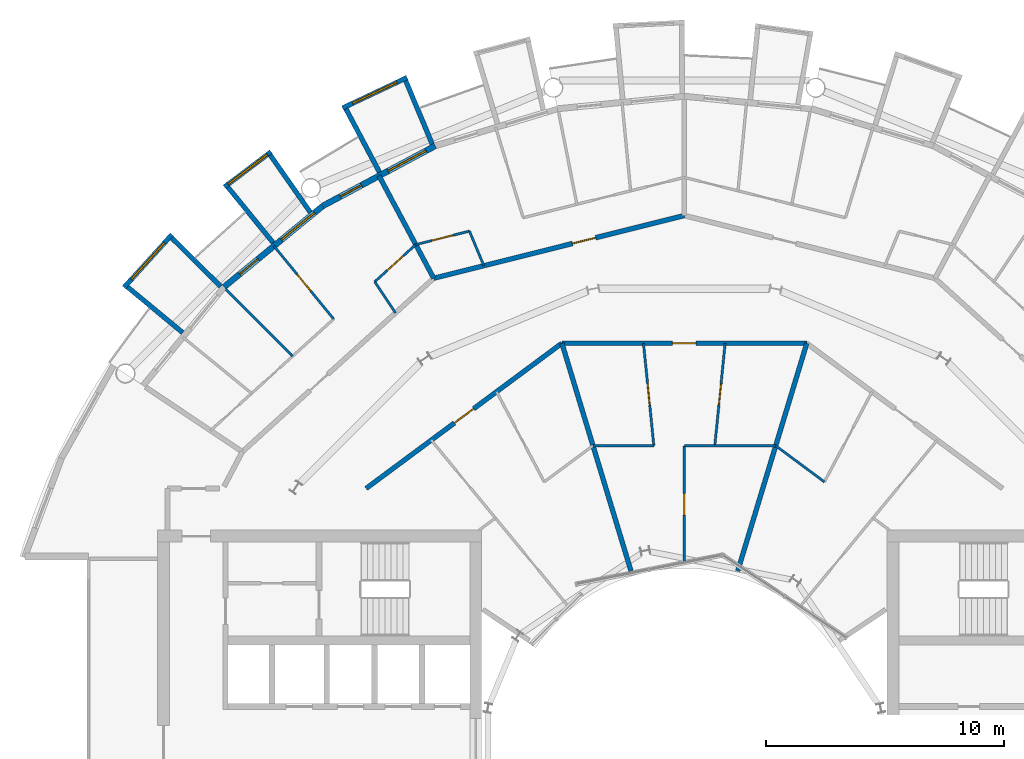
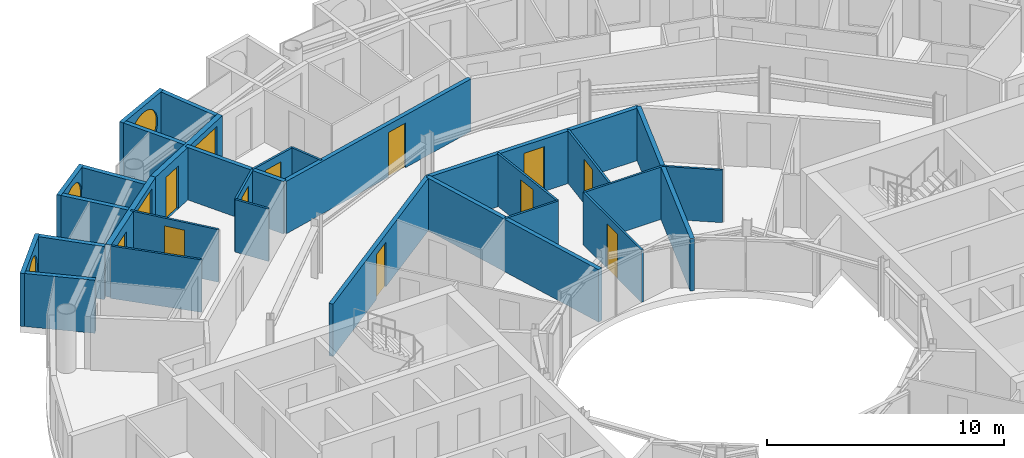
# One storey, part 20 of 27: 29 walls, 11 doors, 5 windows, 16 openings.
"""IFC4 building model written with IfcOpenShell, lengths in metres."""

from ifc_helpers import new_model, si_unit, direction, frame, frame_2d, origin, place, context, subcontext, project, spatial, rectangle, circle, extrude, material, layer, layer_set, type_object, element, fill, save


model = new_model("IFC4")

# Units and contexts
model_context = context("Model", 3, precision=1e-05, world=origin(), true_north=direction((0.0, 1.0)))
body_context = subcontext(model_context, "Body", "Model", "MODEL_VIEW")
ifc_project = project(units=[si_unit("LENGTHUNIT", "METRE"), si_unit("AREAUNIT", "SQUARE_METRE"), si_unit("VOLUMEUNIT", "CUBIC_METRE"), si_unit("PLANEANGLEUNIT", "RADIAN"), si_unit("MASSUNIT", "GRAM", prefix="KILO")], contexts=[model_context])

# Site, building, storey
site_placement = place(None, origin())
site = spatial("IfcSite", under=ifc_project, at=site_placement, CompositionType="ELEMENT")
building_placement = place(site_placement, origin())
building = spatial("IfcBuilding", under=site, at=building_placement, Name="Maasbend Ring Residences", CompositionType="ELEMENT")
storey_placement = place(building_placement, frame((0.0, 0.0, 151.300048828125)))
storey = spatial("IfcBuildingStorey", under=building, at=storey_placement, Name="L43", CompositionType="ELEMENT", Elevation=151.300048828125)

# Wall, opening, door
ifc_material_1 = material(Name="Concrete C30/37", Category="concrete")
ifc_layer_1 = layer(ifc_material_1, 0.199951171875)
ifc_layer_set_1 = layer_set([ifc_layer_1], Name="Concrete C30/37")
wall_type_1 = type_object("IfcWallType", Name="CORRIDOR WALL 200 CONCRETE", PredefinedType="PARTITIONING", material=ifc_layer_set_1)
wall_1_placement = place(storey_placement, frame((-13.34912109375, 10.847900390625, 0.0), z_axis=(0.0, 0.0, 1.0), x_axis=(0.803229232922, 0.595670042371, 0.0)))
wall_1 = element("IfcWall", 1, at=wall_1_placement, inside=storey, type_object=wall_type_1, Name="U-L43-w099", PredefinedType="PARTITIONING", context=body_context, shape_type="SweptSolid", body=[
    extrude(rectangle(XDim=10.223876953125, YDim=0.199951171875, at=frame_2d((5.11181640625, 0.0))), origin(), (0.0, 0.0, 1.0), 2.699951171875),
])
opening_1_placement = place(wall_1_placement, frame((4.612060546875, 0.0, 0.0)))
opening_1 = element("IfcOpeningElement", 2, at=opening_1_placement, cuts=wall_1, Name="Opening D-4329", PredefinedType="OPENING", context=body_context, shape_type="SweptSolid", body=[
    extrude(rectangle(XDim=1.0, YDim=2.300048828125, at=frame_2d((0.5, 1.14990234375))), frame((0.0, 0.10986328125, 0.0), z_axis=(0.0, -1.0, 0.0), x_axis=(1.0, 0.0, 0.0)), (0.0, 0.0, 1.0), 0.219970703125),
])
ifc_material_2 = material(Name="Timber, fire-rated, painted", Category="wood")
door_type_1 = type_object("IfcDoorType", Name="FLAT ENTRANCE DOOR 1000 X 2300 FIRE-RATED", OperationType="NOTDEFINED", PredefinedType="DOOR", material=ifc_material_2)
door_1_placement = place(opening_1_placement, origin())
door_1 = element("IfcDoor", 3, at=door_1_placement, inside=storey, type_object=door_type_1, Name="D-4329", OperationType="SINGLE_SWING_LEFT", OverallHeight=2.300048828125, OverallWidth=1.0, PredefinedType="DOOR", context=body_context, shape_type="SweptSolid", body=[
    extrude(rectangle(XDim=1.0, YDim=2.300048828125, at=frame_2d((0.5, 1.14990234375))), frame((0.0, 0.02490234375, 0.0), z_axis=(0.0, -1.0, 0.0), x_axis=(1.0, 0.0, 0.0)), (0.0, 0.0, 1.0), 0.050048828125),
])
fill(opening_1, door_1)

wall_2_placement = place(storey_placement, frame((-5.137939453125, 16.93798828125, 0.0), z_axis=(0.0, 0.0, 1.0), x_axis=(1.0, 0.0, 0.0)))
wall_2 = element("IfcWall", 4, at=wall_2_placement, inside=storey, type_object=wall_type_1, Name="U-L43-w101", PredefinedType="PARTITIONING", context=body_context, shape_type="SweptSolid", body=[
    extrude(rectangle(XDim=10.27587890625, YDim=0.199951171875, at=frame_2d((5.137939453125, 0.0))), origin(), (0.0, 0.0, 1.0), 2.699951171875),
])
opening_2_placement = place(wall_2_placement, frame((4.637939453125, 0.0, 0.0)))
opening_2 = element("IfcOpeningElement", 5, at=opening_2_placement, cuts=wall_2, Name="Opening D-4325", PredefinedType="OPENING", context=body_context, shape_type="SweptSolid", body=[
    extrude(rectangle(XDim=1.0, YDim=2.300048828125, at=frame_2d((0.5, 1.14990234375))), frame((0.0, 0.10986328125, 0.0), z_axis=(0.0, -1.0, 0.0), x_axis=(1.0, 0.0, 0.0)), (0.0, 0.0, 1.0), 0.219970703125),
])
door_2_placement = place(opening_2_placement, origin())
door_2 = element("IfcDoor", 6, at=door_2_placement, inside=storey, type_object=door_type_1, Name="D-4325", OperationType="SINGLE_SWING_LEFT", OverallHeight=2.300048828125, OverallWidth=1.0, PredefinedType="DOOR", context=body_context, shape_type="SweptSolid", body=[
    extrude(rectangle(XDim=1.0, YDim=2.300048828125, at=frame_2d((0.5, 1.14990234375))), frame((0.0, 0.02490234375, 0.0), z_axis=(0.0, -1.0, 0.0), x_axis=(1.0, 0.0, 0.0)), (0.0, 0.0, 1.0), 0.050048828125),
])
fill(opening_2, door_2)

wall_3_placement = place(storey_placement, frame((-10.511962890625, 19.6669921875, 0.0), z_axis=(0.0, 0.0, 1.0), x_axis=(0.970086843848, 0.242758141765, 0.0)))
wall_3 = element("IfcWall", 7, at=wall_3_placement, inside=storey, type_object=wall_type_1, Name="U-L43-w103", PredefinedType="PARTITIONING", context=body_context, shape_type="SweptSolid", body=[
    extrude(rectangle(XDim=10.84228515625, YDim=0.199951171875, at=frame_2d((5.421142578125, 0.0))), origin(), (0.0, 0.0, 1.0), 2.699951171875),
])
opening_3_placement = place(wall_3_placement, frame((6.001953125, 0.0, 0.0)))
opening_3 = element("IfcOpeningElement", 8, at=opening_3_placement, cuts=wall_3, Name="Opening D-4311", PredefinedType="OPENING", context=body_context, shape_type="SweptSolid", body=[
    extrude(rectangle(XDim=1.0, YDim=2.300048828125, at=frame_2d((0.5, 1.14990234375))), frame((0.0, 0.10986328125, 0.0), z_axis=(0.0, -1.0, 0.0), x_axis=(1.0, 0.0, 0.0)), (0.0, 0.0, 1.0), 0.219970703125),
])
door_3_placement = place(opening_3_placement, origin())
door_3 = element("IfcDoor", 9, at=door_3_placement, inside=storey, type_object=door_type_1, Name="D-4311", OperationType="SINGLE_SWING_RIGHT", OverallHeight=2.300048828125, OverallWidth=1.0, PredefinedType="DOOR", context=body_context, shape_type="SweptSolid", body=[
    extrude(rectangle(XDim=1.0, YDim=2.300048828125, at=frame_2d((0.5, 1.14990234375))), frame((0.0, 0.02490234375, 0.0), z_axis=(0.0, -1.0, 0.0), x_axis=(1.0, 0.0, 0.0)), (0.0, 0.0, 1.0), 0.050048828125),
])
fill(opening_3, door_3)

# Wall, opening, window
ifc_material_3 = material(Name="Pale anodised aluminium panel", Category="aluminium")
ifc_layer_2 = layer(ifc_material_3, 0.199951171875)
ifc_layer_set_2 = layer_set([ifc_layer_2], Name="EW-BOX")
wall_type_2 = type_object("IfcWallType", Name="EW-BOX", PredefinedType="SOLIDWALL", material=ifc_layer_set_2)
wall_4_placement = place(storey_placement, frame((-11.62890625, 28.087890625, -0.030029296875), z_axis=(0.0, 0.0, 1.0), x_axis=(-0.904000060331, -0.427532327342, 0.0)))
wall_4 = element("IfcWall", 10, at=wall_4_placement, inside=storey, type_object=wall_type_2, Name="Box front N15", PredefinedType="SOLIDWALL", context=body_context, shape_type="SweptSolid", body=[
    extrude(rectangle(XDim=2.993408203125, YDim=0.199951171875, at=frame_2d((1.49658203125, 0.0))), origin(), (0.0, 0.0, 1.0), 2.72998046875),
])
opening_4_placement = place(wall_4_placement, frame((0.45654296875, 0.0, 0.330078125)))
opening_4 = element("IfcOpeningElement", 11, at=opening_4_placement, cuts=wall_4, Name="Opening W-RD", PredefinedType="OPENING", context=body_context, shape_type="SweptSolid", body=[
    extrude(circle(Radius=1.0400390625, at=frame_2d((1.0400390625, 1.0400390625))), frame((0.0, 0.10986328125, 0.0), z_axis=(0.0, -1.0, 0.0), x_axis=(1.0, 0.0, 0.0)), (0.0, 0.0, 1.0), 0.219970703125),
])
ifc_material_4 = material(Name="Aluminium and clear glass", Category="aluminium")
window_type_1 = type_object("IfcWindowType", Name="W-RD", PartitioningType="SINGLE_PANEL", PredefinedType="WINDOW", material=ifc_material_4)
window_1_placement = place(opening_4_placement, origin())
window_1 = element("IfcWindow", 12, at=window_1_placement, inside=storey, type_object=window_type_1, Name="Round window N15", OverallHeight=2.080078125, OverallWidth=2.080078125, PartitioningType="SINGLE_PANEL", PredefinedType="WINDOW", context=body_context, shape_type="SweptSolid", body=[
    extrude(circle(Radius=1.0400390625, at=frame_2d((1.0400390625, 1.0400390625))), frame((0.0, 0.030029296875, 0.0), z_axis=(0.0, -1.0, 0.0), x_axis=(1.0, 0.0, 0.0)), (0.0, 0.0, 1.0), 0.06005859375),
])
fill(opening_4, window_1)

# Walls
wall_5_placement = place(storey_placement, frame((-10.574951171875, 25.294921875, -0.030029296875), z_axis=(0.0, 0.0, 1.0), x_axis=(-0.385697364644, 0.922625353492, 0.0)))
element("IfcWall", 13, at=wall_5_placement, inside=storey, type_object=wall_type_2, Name="Box side wall N15 left", PredefinedType="SOLIDWALL", context=body_context, shape_type="SweptSolid", body=[
    extrude(rectangle(XDim=2.88330078125, YDim=0.199951171875, at=frame_2d((1.441650390625, 0.0))), origin(), (0.0, 0.0, 1.0), 2.72998046875),
])
wall_6_placement = place(storey_placement, frame((-12.787109375, 24.113037109375, -0.030029296875), z_axis=(0.0, 0.0, 1.0), x_axis=(-0.468365282436, 0.883534924159, 0.0)))
element("IfcWall", 14, at=wall_6_placement, inside=storey, type_object=wall_type_2, Name="Box side wall N15 right", PredefinedType="SOLIDWALL", context=body_context, shape_type="SweptSolid", body=[
    extrude(rectangle(XDim=3.006103515625, YDim=0.199951171875, at=frame_2d((1.5029296875, 0.0))), origin(), (0.0, 0.0, 1.0), 2.72998046875),
])

# Wall, opening, window
wall_7_placement = place(storey_placement, frame((-17.3369140625, 24.971923828125, -0.030029296875), z_axis=(0.0, 0.0, 1.0), x_axis=(-0.797887588059, -0.602806268067, 0.0)))
wall_7 = element("IfcWall", 15, at=wall_7_placement, inside=storey, type_object=wall_type_2, Name="Box front N17", PredefinedType="SOLIDWALL", context=body_context, shape_type="SweptSolid", body=[
    extrude(rectangle(XDim=2.446533203125, YDim=0.199951171875, at=frame_2d((1.22314453125, 0.0))), origin(), (0.0, 0.0, 1.0), 2.72998046875),
])
opening_5_placement = place(wall_7_placement, frame((0.182861328125, 0.0, 0.330078125)))
opening_5 = element("IfcOpeningElement", 16, at=opening_5_placement, cuts=wall_7, Name="Opening W-RD", PredefinedType="OPENING", context=body_context, shape_type="SweptSolid", body=[
    extrude(circle(Radius=1.0400390625, at=frame_2d((1.0400390625, 1.0400390625))), frame((0.0, 0.10986328125, 0.0), z_axis=(0.0, -1.0, 0.0), x_axis=(1.0, 0.0, 0.0)), (0.0, 0.0, 1.0), 0.219970703125),
])
window_2_placement = place(opening_5_placement, origin())
window_2 = element("IfcWindow", 17, at=window_2_placement, inside=storey, type_object=window_type_1, Name="Round window N17", OverallHeight=2.080078125, OverallWidth=2.080078125, PartitioningType="SINGLE_PANEL", PredefinedType="WINDOW", context=body_context, shape_type="SweptSolid", body=[
    extrude(circle(Radius=1.0400390625, at=frame_2d((1.0400390625, 1.0400390625))), frame((0.0, 0.030029296875, 0.0), z_axis=(0.0, -1.0, 0.0), x_axis=(1.0, 0.0, 0.0)), (0.0, 0.0, 1.0), 0.06005859375),
])
fill(opening_5, window_2)

# Walls
wall_8_placement = place(storey_placement, frame((-15.68798828125, 22.43310546875, -0.030029296875), z_axis=(0.0, 0.0, 1.0), x_axis=(-0.573260687834, 0.819373043115, 0.0)))
element("IfcWall", 18, at=wall_8_placement, inside=storey, type_object=wall_type_2, Name="Box side wall N17 left", PredefinedType="SOLIDWALL", context=body_context, shape_type="SweptSolid", body=[
    extrude(rectangle(XDim=2.92529296875, YDim=0.199951171875, at=frame_2d((1.462646484375, 0.0))), origin(), (0.0, 0.0, 1.0), 2.72998046875),
])
wall_9_placement = place(storey_placement, frame((-17.24609375, 21.155029296875, -0.030029296875), z_axis=(0.0, 0.0, 1.0), x_axis=(-0.631741648902, 0.775179004516, 0.0)))
element("IfcWall", 19, at=wall_9_placement, inside=storey, type_object=wall_type_2, Name="Box side wall N17 right", PredefinedType="SOLIDWALL", context=body_context, shape_type="SweptSolid", body=[
    extrude(rectangle(XDim=3.005859375, YDim=0.199951171875, at=frame_2d((1.5029296875, 0.0))), origin(), (0.0, 0.0, 1.0), 2.72998046875),
])

# Wall, opening, window
wall_10_placement = place(storey_placement, frame((-21.492919921875, 21.5, -0.030029296875), z_axis=(0.0, 0.0, 1.0), x_axis=(-0.671506829416, -0.740998365753, 0.0)))
wall_10 = element("IfcWall", 20, at=wall_10_placement, inside=storey, type_object=wall_type_2, Name="Box front N19", PredefinedType="SOLIDWALL", context=body_context, shape_type="SweptSolid", body=[
    extrude(rectangle(XDim=2.9931640625, YDim=0.199951171875, at=frame_2d((1.49658203125, 0.0))), origin(), (0.0, 0.0, 1.0), 2.72998046875),
])
opening_6_placement = place(wall_10_placement, frame((0.45654296875, 0.0, 0.330078125)))
opening_6 = element("IfcOpeningElement", 21, at=opening_6_placement, cuts=wall_10, Name="Opening W-RD", PredefinedType="OPENING", context=body_context, shape_type="SweptSolid", body=[
    extrude(circle(Radius=1.0400390625, at=frame_2d((1.0400390625, 1.0400390625))), frame((0.0, 0.10986328125, 0.0), z_axis=(0.0, -1.0, 0.0), x_axis=(1.0, 0.0, 0.0)), (0.0, 0.0, 1.0), 0.219970703125),
])
window_3_placement = place(opening_6_placement, origin())
window_3 = element("IfcWindow", 22, at=window_3_placement, inside=storey, type_object=window_type_1, Name="Round window N19", OverallHeight=2.080078125, OverallWidth=2.080078125, PartitioningType="SINGLE_PANEL", PredefinedType="WINDOW", context=body_context, shape_type="SweptSolid", body=[
    extrude(circle(Radius=1.0400390625, at=frame_2d((1.0400390625, 1.0400390625))), frame((0.0, 0.030029296875, 0.0), z_axis=(0.0, -1.0, 0.0), x_axis=(1.0, 0.0, 0.0)), (0.0, 0.0, 1.0), 0.06005859375),
])
fill(opening_6, window_3)

# Walls
wall_11_placement = place(storey_placement, frame((-19.449951171875, 19.322998046875, -0.030029296875), z_axis=(0.0, 0.0, 1.0), x_axis=(-0.709727076896, 0.704476739375, 0.0)))
element("IfcWall", 23, at=wall_11_placement, inside=storey, type_object=wall_type_2, Name="Box side wall N19 left", PredefinedType="SOLIDWALL", context=body_context, shape_type="SweptSolid", body=[
    extrude(rectangle(XDim=2.883056640625, YDim=0.199951171875, at=frame_2d((1.44140625, 0.0))), origin(), (0.0, 0.0, 1.0), 2.72998046875),
])
wall_12_placement = place(storey_placement, frame((-21.041015625, 17.384033203125, -0.030029296875), z_axis=(0.0, 0.0, 1.0), x_axis=(-0.770784861449, 0.63709551667, 0.0)))
element("IfcWall", 24, at=wall_12_placement, inside=storey, type_object=wall_type_2, Name="Box side wall N19 right", PredefinedType="SOLIDWALL", context=body_context, shape_type="SweptSolid", body=[
    extrude(rectangle(XDim=3.005859375, YDim=0.199951171875, at=frame_2d((1.5029296875, 0.0))), origin(), (0.0, 0.0, 1.0), 2.72998046875),
])

# Wall, openings, door, window
ifc_material_5 = material(Name="Aluminium clad insulated panel", Category="aluminium")
ifc_layer_3 = layer(ifc_material_5, 0.25)
ifc_layer_set_3 = layer_set([ifc_layer_3], Name="EW-GL")
wall_type_3 = type_object("IfcWallType", Name="EW-GL", PredefinedType="SOLIDWALL", material=ifc_layer_set_3)
wall_13_placement = place(storey_placement, frame((-10.447021484375, 25.221923828125, 0.0), z_axis=(0.0, 0.0, 1.0), x_axis=(-0.881915646801, -0.471407246368, 0.0)))
wall_13 = element("IfcWall", 25, at=wall_13_placement, inside=storey, type_object=wall_type_3, Name="External wall N08", PredefinedType="SOLIDWALL", context=body_context, shape_type="SweptSolid", body=[
    extrude(rectangle(XDim=5.35205078125, YDim=0.25, at=frame_2d((2.676025390625, 0.0))), origin(), (0.0, 0.0, 1.0), 2.699951171875),
])
opening_7_placement = place(wall_13_placement, frame((0.441162109375, 0.0, 0.300048828125)))
opening_7 = element("IfcOpeningElement", 26, at=opening_7_placement, cuts=wall_13, Name="Opening W-BX", PredefinedType="OPENING", context=body_context, shape_type="SweptSolid", body=[
    extrude(rectangle(XDim=1.800048828125, YDim=2.10009765625, at=frame_2d((0.89990234375, 1.050048828125))), frame((0.0, 0.135009765625, 0.0), z_axis=(0.0, -1.0, 0.0), x_axis=(1.0, 0.0, 0.0)), (0.0, 0.0, 1.0), 0.27001953125),
])
opening_8_placement = place(wall_13_placement, frame((3.510498046875, 0.0, 0.0)))
opening_8 = element("IfcOpeningElement", 27, at=opening_8_placement, cuts=wall_13, Name="Opening D-LG", PredefinedType="OPENING", context=body_context, shape_type="SweptSolid", body=[
    extrude(rectangle(XDim=1.0, YDim=2.199951171875, at=frame_2d((0.5, 1.10009765625))), frame((0.0, 0.135009765625, 0.0), z_axis=(0.0, -1.0, 0.0), x_axis=(1.0, 0.0, 0.0)), (0.0, 0.0, 1.0), 0.27001953125),
])
ifc_material_6 = material(Name="Aluminium and clear glass", Category="aluminium")
door_type_2 = type_object("IfcDoorType", Name="D-LG", OperationType="SINGLE_SWING_LEFT", PredefinedType="DOOR", material=ifc_material_6)
door_4_placement = place(opening_8_placement, origin())
door_4 = element("IfcDoor", 28, at=door_4_placement, inside=storey, type_object=door_type_2, Name="Loggia door N16", OperationType="SINGLE_SWING_LEFT", OverallHeight=2.199951171875, OverallWidth=1.0, PredefinedType="DOOR", context=body_context, shape_type="SweptSolid", body=[
    extrude(rectangle(XDim=1.0, YDim=2.199951171875, at=frame_2d((0.5, 1.10009765625))), frame((0.0, 0.02490234375, 0.0), z_axis=(0.0, -1.0, 0.0), x_axis=(1.0, 0.0, 0.0)), (0.0, 0.0, 1.0), 0.050048828125),
])
fill(opening_8, door_4)
ifc_material_7 = material(Name="Aluminium and clear glass", Category="aluminium")
window_type_2 = type_object("IfcWindowType", Name="W-BX", PartitioningType="DOUBLE_PANEL_VERTICAL", PredefinedType="WINDOW", material=ifc_material_7)
window_4_placement = place(opening_7_placement, origin())
window_4 = element("IfcWindow", 29, at=window_4_placement, inside=storey, type_object=window_type_2, Name="Window N15 room to box", OverallHeight=2.10009765625, OverallWidth=1.800048828125, PartitioningType="SINGLE_PANEL", PredefinedType="WINDOW", context=body_context, shape_type="SweptSolid", body=[
    extrude(rectangle(XDim=1.800048828125, YDim=2.10009765625, at=frame_2d((0.89990234375, 1.050048828125))), frame((0.0, 0.030029296875, 0.0), z_axis=(0.0, -1.0, 0.0), x_axis=(1.0, 0.0, 0.0)), (0.0, 0.0, 1.0), 0.06005859375),
])
fill(opening_7, window_4)

wall_14_placement = place(storey_placement, frame((-15.1669921875, 22.698974609375, 0.0), z_axis=(0.0, 0.0, 1.0), x_axis=(-0.773019449054, -0.634382322723, 0.0)))
wall_14 = element("IfcWall", 30, at=wall_14_placement, inside=storey, type_object=wall_type_3, Name="External wall N09", PredefinedType="SOLIDWALL", context=body_context, shape_type="SweptSolid", body=[
    extrude(rectangle(XDim=5.351806640625, YDim=0.25, at=frame_2d((2.67578125, 0.0))), origin(), (0.0, 0.0, 1.0), 2.699951171875),
])
opening_9_placement = place(wall_14_placement, frame((0.441162109375, 0.0, 0.300048828125)))
opening_9 = element("IfcOpeningElement", 31, at=opening_9_placement, cuts=wall_14, Name="Opening W-BX", PredefinedType="OPENING", context=body_context, shape_type="SweptSolid", body=[
    extrude(rectangle(XDim=1.800048828125, YDim=2.10009765625, at=frame_2d((0.89990234375, 1.050048828125))), frame((0.0, 0.135009765625, 0.0), z_axis=(0.0, -1.0, 0.0), x_axis=(1.0, 0.0, 0.0)), (0.0, 0.0, 1.0), 0.27001953125),
])
opening_10_placement = place(wall_14_placement, frame((3.510498046875, 0.0, 0.0)))
opening_10 = element("IfcOpeningElement", 32, at=opening_10_placement, cuts=wall_14, Name="Opening D-LG", PredefinedType="OPENING", context=body_context, shape_type="SweptSolid", body=[
    extrude(rectangle(XDim=1.0, YDim=2.199951171875, at=frame_2d((0.5, 1.10009765625))), frame((0.0, 0.135009765625, 0.0), z_axis=(0.0, -1.0, 0.0), x_axis=(1.0, 0.0, 0.0)), (0.0, 0.0, 1.0), 0.27001953125),
])
door_5_placement = place(opening_10_placement, origin())
door_5 = element("IfcDoor", 33, at=door_5_placement, inside=storey, type_object=door_type_2, Name="Loggia door N18", OperationType="SINGLE_SWING_LEFT", OverallHeight=2.199951171875, OverallWidth=1.0, PredefinedType="DOOR", context=body_context, shape_type="SweptSolid", body=[
    extrude(rectangle(XDim=1.0, YDim=2.199951171875, at=frame_2d((0.5, 1.10009765625))), frame((0.0, 0.02490234375, 0.0), z_axis=(0.0, -1.0, 0.0), x_axis=(1.0, 0.0, 0.0)), (0.0, 0.0, 1.0), 0.050048828125),
])
fill(opening_10, door_5)
window_5_placement = place(opening_9_placement, origin())
window_5 = element("IfcWindow", 34, at=window_5_placement, inside=storey, type_object=window_type_2, Name="Window N17 room to box", OverallHeight=2.10009765625, OverallWidth=1.800048828125, PartitioningType="SINGLE_PANEL", PredefinedType="WINDOW", context=body_context, shape_type="SweptSolid", body=[
    extrude(rectangle(XDim=1.800048828125, YDim=2.10009765625, at=frame_2d((0.89990234375, 1.050048828125))), frame((0.0, 0.030029296875, 0.0), z_axis=(0.0, -1.0, 0.0), x_axis=(1.0, 0.0, 0.0)), (0.0, 0.0, 1.0), 0.06005859375),
])
fill(opening_9, window_5)

# Walls
ifc_material_8 = material(Name="Gypsum board on steel studs", Category="steel")
ifc_layer_4 = layer(ifc_material_8, 0.10009765625)
ifc_layer_set_4 = layer_set([ifc_layer_4], Name="PARTITION 100 GYPSUM")
wall_type_4 = type_object("IfcWallType", Name="PARTITION 100 GYPSUM", PredefinedType="PARTITIONING", material=ifc_layer_set_4)
wall_15_placement = place(storey_placement, frame((-12.98388671875, 19.52099609375, 0.0), z_axis=(0.0, 0.0, 1.0), x_axis=(0.55373148684, -0.832695286694, 0.0)))
element("IfcWall", 35, at=wall_15_placement, inside=storey, type_object=wall_type_4, Name="U-L43-w030", PredefinedType="PARTITIONING", context=body_context, shape_type="SweptSolid", body=[
    extrude(rectangle(XDim=1.571044921875, YDim=0.10009765625, at=frame_2d((0.78564453125, 0.0))), origin(), (0.0, 0.0, 1.0), 2.699951171875),
])
wall_16_placement = place(storey_placement, frame((-9.012939453125, 21.64208984375, 0.0), z_axis=(0.0, 0.0, 1.0), x_axis=(0.384228756538, -0.923237923099, 0.0)))
element("IfcWall", 36, at=wall_16_placement, inside=storey, type_object=wall_type_4, Name="U-L43-w031", PredefinedType="PARTITIONING", context=body_context, shape_type="SweptSolid", body=[
    extrude(rectangle(XDim=1.5693359375, YDim=0.10009765625, at=frame_2d((0.78466796875, 0.0))), origin(), (0.0, 0.0, 1.0), 2.699951171875),
])
wall_17_placement = place(storey_placement, frame((-19.23388671875, 19.197021484375, 0.0), z_axis=(0.0, 0.0, 1.0), x_axis=(0.707722727509, -0.706490297858, 0.0)))
element("IfcWall", 37, at=wall_17_placement, inside=storey, type_object=wall_type_4, Name="U-L43-w038", PredefinedType="PARTITIONING", context=body_context, shape_type="SweptSolid", body=[
    extrude(rectangle(XDim=3.9619140625, YDim=0.10009765625, at=frame_2d((1.98095703125, 0.0))), origin(), (0.0, 0.0, 1.0), 2.699951171875),
])

# Wall, opening, door
wall_18_placement = place(storey_placement, frame((-17.218994140625, 21.02294921875, 0.0), z_axis=(0.0, 0.0, 1.0), x_axis=(0.633590098448, -0.773668913133, 0.0)))
wall_18 = element("IfcWall", 38, at=wall_18_placement, inside=storey, type_object=wall_type_4, Name="U-L43-w040", PredefinedType="PARTITIONING", context=body_context, shape_type="SweptSolid", body=[
    extrude(rectangle(XDim=3.961669921875, YDim=0.10009765625, at=frame_2d((1.98095703125, 0.0))), origin(), (0.0, 0.0, 1.0), 2.699951171875),
])
opening_11_placement = place(wall_18_placement, frame((1.531005859375, 0.0, 0.0)))
opening_11 = element("IfcOpeningElement", 39, at=opening_11_placement, cuts=wall_18, Name="Opening D-4318", PredefinedType="OPENING", context=body_context, shape_type="SweptSolid", body=[
    extrude(rectangle(XDim=0.89990234375, YDim=2.300048828125, at=frame_2d((0.449951171875, 1.14990234375))), frame((0.0, 0.06005859375, 0.0), z_axis=(0.0, -1.0, 0.0), x_axis=(1.0, 0.0, 0.0)), (0.0, 0.0, 1.0), 0.1201171875),
])
ifc_material_9 = material(Name="Timber, painted", Category="wood")
door_type_3 = type_object("IfcDoorType", Name="INTERNAL DOOR 900 X 2300", OperationType="NOTDEFINED", PredefinedType="DOOR", material=ifc_material_9)
door_6_placement = place(opening_11_placement, origin())
door_6 = element("IfcDoor", 40, at=door_6_placement, inside=storey, type_object=door_type_3, Name="D-4318", OperationType="SINGLE_SWING_LEFT", OverallHeight=2.300048828125, OverallWidth=0.89990234375, PredefinedType="DOOR", context=body_context, shape_type="SweptSolid", body=[
    extrude(rectangle(XDim=0.89990234375, YDim=2.300048828125, at=frame_2d((0.449951171875, 1.14990234375))), frame((0.0, 0.02490234375, 0.0), z_axis=(0.0, -1.0, 0.0), x_axis=(1.0, 0.0, 0.0)), (0.0, 0.0, 1.0), 0.050048828125),
])
fill(opening_11, door_6)

wall_19_placement = place(storey_placement, frame((-1.712890625, 16.93798828125, 0.0), z_axis=(0.0, 0.0, 1.0), x_axis=(0.100650711003, -0.994921823248, 0.0)))
wall_19 = element("IfcWall", 41, at=wall_19_placement, inside=storey, type_object=wall_type_4, Name="U-L43-w058", PredefinedType="PARTITIONING", context=body_context, shape_type="SweptSolid", body=[
    extrude(rectangle(XDim=4.320068359375, YDim=0.10009765625, at=frame_2d((2.16015625, 0.0))), origin(), (0.0, 0.0, 1.0), 2.699951171875),
])
opening_12_placement = place(wall_19_placement, frame((1.7099609375, 0.0, 0.0)))
opening_12 = element("IfcOpeningElement", 42, at=opening_12_placement, cuts=wall_19, Name="Opening D-4326", PredefinedType="OPENING", context=body_context, shape_type="SweptSolid", body=[
    extrude(rectangle(XDim=0.89990234375, YDim=2.300048828125, at=frame_2d((0.449951171875, 1.14990234375))), frame((0.0, 0.06005859375, 0.0), z_axis=(0.0, -1.0, 0.0), x_axis=(1.0, 0.0, 0.0)), (0.0, 0.0, 1.0), 0.1201171875),
])
door_7_placement = place(opening_12_placement, origin())
door_7 = element("IfcDoor", 43, at=door_7_placement, inside=storey, type_object=door_type_3, Name="D-4326", OperationType="SINGLE_SWING_LEFT", OverallHeight=2.300048828125, OverallWidth=0.89990234375, PredefinedType="DOOR", context=body_context, shape_type="SweptSolid", body=[
    extrude(rectangle(XDim=0.89990234375, YDim=2.300048828125, at=frame_2d((0.449951171875, 1.14990234375))), frame((0.0, 0.02490234375, 0.0), z_axis=(0.0, -1.0, 0.0), x_axis=(1.0, 0.0, 0.0)), (0.0, 0.0, 1.0), 0.050048828125),
])
fill(opening_12, door_7)

wall_20_placement = place(storey_placement, frame((0.0, 7.719970703125, 0.0), z_axis=(0.0, 0.0, 1.0), x_axis=(0.0, 1.0, 0.0)))
wall_20 = element("IfcWall", 44, at=wall_20_placement, inside=storey, type_object=wall_type_4, Name="U-L43-w060", PredefinedType="PARTITIONING", context=body_context, shape_type="SweptSolid", body=[
    extrude(rectangle(XDim=4.919921875, YDim=0.10009765625, at=frame_2d((2.4599609375, 0.0))), origin(), (0.0, 0.0, 1.0), 2.699951171875),
])
opening_13_placement = place(wall_20_placement, frame((2.010009765625, 0.0, 0.0)))
opening_13 = element("IfcOpeningElement", 45, at=opening_13_placement, cuts=wall_20, Name="Opening D-4328", PredefinedType="OPENING", context=body_context, shape_type="SweptSolid", body=[
    extrude(rectangle(XDim=0.89990234375, YDim=2.300048828125, at=frame_2d((0.449951171875, 1.14990234375))), frame((0.0, 0.06005859375, 0.0), z_axis=(0.0, -1.0, 0.0), x_axis=(1.0, 0.0, 0.0)), (0.0, 0.0, 1.0), 0.1201171875),
])
door_8_placement = place(opening_13_placement, origin())
door_8 = element("IfcDoor", 46, at=door_8_placement, inside=storey, type_object=door_type_3, Name="D-4328", OperationType="SINGLE_SWING_RIGHT", OverallHeight=2.300048828125, OverallWidth=0.89990234375, PredefinedType="DOOR", context=body_context, shape_type="SweptSolid", body=[
    extrude(rectangle(XDim=0.89990234375, YDim=2.300048828125, at=frame_2d((0.449951171875, 1.14990234375))), frame((0.0, 0.02490234375, 0.0), z_axis=(0.0, -1.0, 0.0), x_axis=(1.0, 0.0, 0.0)), (0.0, 0.0, 1.0), 0.050048828125),
])
fill(opening_13, door_8)

wall_21_placement = place(storey_placement, frame((1.278076171875, 12.639892578125, 0.0), z_axis=(0.0, 0.0, 1.0), x_axis=(0.100650711003, 0.994921823248, 0.0)))
wall_21 = element("IfcWall", 47, at=wall_21_placement, inside=storey, type_object=wall_type_4, Name="U-L43-w063", PredefinedType="PARTITIONING", context=body_context, shape_type="SweptSolid", body=[
    extrude(rectangle(XDim=4.320068359375, YDim=0.10009765625, at=frame_2d((2.16015625, 0.0))), origin(), (0.0, 0.0, 1.0), 2.699951171875),
])
opening_14_placement = place(wall_21_placement, frame((1.7099609375, 0.0, 0.0)))
opening_14 = element("IfcOpeningElement", 48, at=opening_14_placement, cuts=wall_21, Name="Opening D-4327", PredefinedType="OPENING", context=body_context, shape_type="SweptSolid", body=[
    extrude(rectangle(XDim=0.89990234375, YDim=2.300048828125, at=frame_2d((0.449951171875, 1.14990234375))), frame((0.0, 0.06005859375, 0.0), z_axis=(0.0, -1.0, 0.0), x_axis=(1.0, 0.0, 0.0)), (0.0, 0.0, 1.0), 0.1201171875),
])
door_9_placement = place(opening_14_placement, origin())
door_9 = element("IfcDoor", 49, at=door_9_placement, inside=storey, type_object=door_type_3, Name="D-4327", OperationType="SINGLE_SWING_RIGHT", OverallHeight=2.300048828125, OverallWidth=0.89990234375, PredefinedType="DOOR", context=body_context, shape_type="SweptSolid", body=[
    extrude(rectangle(XDim=0.89990234375, YDim=2.300048828125, at=frame_2d((0.449951171875, 1.14990234375))), frame((0.0, 0.02490234375, 0.0), z_axis=(0.0, -1.0, 0.0), x_axis=(1.0, 0.0, 0.0)), (0.0, 0.0, 1.0), 0.050048828125),
])
fill(opening_14, door_9)

# Walls
wall_22_placement = place(storey_placement, frame((3.833984375, 12.639892578125, 0.0), z_axis=(0.0, 0.0, 1.0), x_axis=(0.803259509791, -0.595629213463, 0.0)))
element("IfcWall", 50, at=wall_22_placement, inside=storey, type_object=wall_type_4, Name="U-L43-w095", PredefinedType="PARTITIONING", context=body_context, shape_type="SweptSolid", body=[
    extrude(rectangle(XDim=2.54345703125, YDim=0.10009765625, at=frame_2d((1.271728515625, 0.0))), origin(), (0.0, 0.0, 1.0), 2.699951171875),
])
wall_23_placement = place(storey_placement, frame((-3.833984375, 12.639892578125, 0.0), z_axis=(0.0, 0.0, 1.0), x_axis=(1.0, 0.0, 0.0)))
element("IfcWall", 51, at=wall_23_placement, inside=storey, type_object=wall_type_4, Name="U-L43-w097", PredefinedType="PARTITIONING", context=body_context, shape_type="SweptSolid", body=[
    extrude(rectangle(XDim=2.555908203125, YDim=0.10009765625, at=frame_2d((1.27783203125, 0.0))), origin(), (0.0, 0.0, 1.0), 2.699951171875),
])
wall_24_placement = place(storey_placement, frame((0.0, 12.639892578125, 0.0), z_axis=(0.0, 0.0, 1.0), x_axis=(1.0, 0.0, 0.0)))
element("IfcWall", 52, at=wall_24_placement, inside=storey, type_object=wall_type_4, Name="U-L43-w098", PredefinedType="PARTITIONING", context=body_context, shape_type="SweptSolid", body=[
    extrude(rectangle(XDim=3.833984375, YDim=0.10009765625, at=frame_2d((1.9169921875, 0.0))), origin(), (0.0, 0.0, 1.0), 2.699951171875),
])

# Wall, opening, door
wall_25_placement = place(storey_placement, frame((-12.992919921875, 19.512939453125, 0.0), z_axis=(0.0, 0.0, 1.0), x_axis=(0.74087097024, 0.671647381783, 0.0)))
wall_25 = element("IfcWall", 53, at=wall_25_placement, inside=storey, type_object=wall_type_4, Name="U-L43-w111", PredefinedType="PARTITIONING", context=body_context, shape_type="SweptSolid", body=[
    extrude(rectangle(XDim=2.32421875, YDim=0.10009765625, at=frame_2d((1.162109375, 0.0))), origin(), (0.0, 0.0, 1.0), 2.699951171875),
])
opening_15_placement = place(wall_25_placement, frame((0.718994140625, 0.0, 0.0)))
opening_15 = element("IfcOpeningElement", 54, at=opening_15_placement, cuts=wall_25, Name="Opening D-4317", PredefinedType="OPENING", context=body_context, shape_type="SweptSolid", body=[
    extrude(rectangle(XDim=0.89990234375, YDim=2.300048828125, at=frame_2d((0.449951171875, 1.14990234375))), frame((0.0, 0.06005859375, 0.0), z_axis=(0.0, -1.0, 0.0), x_axis=(1.0, 0.0, 0.0)), (0.0, 0.0, 1.0), 0.1201171875),
])
door_10_placement = place(opening_15_placement, origin())
door_10 = element("IfcDoor", 55, at=door_10_placement, inside=storey, type_object=door_type_3, Name="D-4317", OperationType="SINGLE_SWING_RIGHT", OverallHeight=2.300048828125, OverallWidth=0.89990234375, PredefinedType="DOOR", context=body_context, shape_type="SweptSolid", body=[
    extrude(rectangle(XDim=0.89990234375, YDim=2.300048828125, at=frame_2d((0.449951171875, 1.14990234375))), frame((0.0, 0.02490234375, 0.0), z_axis=(0.0, -1.0, 0.0), x_axis=(1.0, 0.0, 0.0)), (0.0, 0.0, 1.0), 0.050048828125),
])
fill(opening_15, door_10)

wall_26_placement = place(storey_placement, frame((-11.26611328125, 21.077880859375, 0.0), z_axis=(0.0, 0.0, 1.0), x_axis=(0.970074595874, 0.242807080706, 0.0)))
wall_26 = element("IfcWall", 56, at=wall_26_placement, inside=storey, type_object=wall_type_4, Name="U-L43-w112", PredefinedType="PARTITIONING", context=body_context, shape_type="SweptSolid", body=[
    extrude(rectangle(XDim=2.32763671875, YDim=0.10009765625, at=frame_2d((1.163818359375, 0.0))), origin(), (0.0, 0.0, 1.0), 2.699951171875),
])
opening_16_placement = place(wall_26_placement, frame((0.714111328125, 0.0, 0.0)))
opening_16 = element("IfcOpeningElement", 57, at=opening_16_placement, cuts=wall_26, Name="Opening D-4312", PredefinedType="OPENING", context=body_context, shape_type="SweptSolid", body=[
    extrude(rectangle(XDim=0.89990234375, YDim=2.300048828125, at=frame_2d((0.449951171875, 1.14990234375))), frame((0.0, 0.06005859375, 0.0), z_axis=(0.0, -1.0, 0.0), x_axis=(1.0, 0.0, 0.0)), (0.0, 0.0, 1.0), 0.1201171875),
])
door_11_placement = place(opening_16_placement, origin())
door_11 = element("IfcDoor", 58, at=door_11_placement, inside=storey, type_object=door_type_3, Name="D-4312", OperationType="SINGLE_SWING_RIGHT", OverallHeight=2.300048828125, OverallWidth=0.89990234375, PredefinedType="DOOR", context=body_context, shape_type="SweptSolid", body=[
    extrude(rectangle(XDim=0.89990234375, YDim=2.300048828125, at=frame_2d((0.449951171875, 1.14990234375))), frame((0.0, 0.02490234375, 0.0), z_axis=(0.0, -1.0, 0.0), x_axis=(1.0, 0.0, 0.0)), (0.0, 0.0, 1.0), 0.050048828125),
])
fill(opening_16, door_11)

# Walls
ifc_material_10 = material(Name="Concrete C30/37", Category="concrete")
ifc_layer_5 = layer(ifc_material_10, 0.199951171875)
ifc_layer_set_5 = layer_set([ifc_layer_5], Name="Concrete C30/37")
wall_type_5 = type_object("IfcWallType", Name="PARTY WALL 200 CONCRETE", PredefinedType="PARTITIONING", material=ifc_layer_set_5)
wall_27_placement = place(storey_placement, frame((-12.80908203125, 23.966064453125, 0.0), z_axis=(0.0, 0.0, 1.0), x_axis=(0.471271812246, -0.881988026553, 0.0)))
element("IfcWall", 59, at=wall_27_placement, inside=storey, type_object=wall_type_5, Name="U-L43-w044", PredefinedType="PARTITIONING", context=body_context, shape_type="SweptSolid", body=[
    extrude(rectangle(XDim=4.874267578125, YDim=0.199951171875, at=frame_2d((2.43701171875, 0.0))), origin(), (0.0, 0.0, 1.0), 2.699951171875),
])
for number, where, z_axis, x_axis, name in (
    (60, (2.240966796875, 7.387939453125, 0.0), (0.0, 0.0, 1.0), (0.290284403441, 0.956940418793, 0.0), "U-L43-w067"),
    (61, (-5.134033203125, 16.93896484375, 0.0), (0.0, 0.0, 1.0), (0.290284403441, -0.956940418793, 0.0), "U-L43-w087"),
):
    element("IfcWall", number, at=place(storey_placement, frame(where, z_axis=z_axis, x_axis=x_axis)), inside=storey, type_object=wall_type_5, Name=name, PredefinedType="PARTITIONING", context=body_context, shape_type="SweptSolid", body=[
        extrude(rectangle(XDim=9.979736328125, YDim=0.199951171875, at=frame_2d((4.98974609375, 0.0))), origin(), (0.0, 0.0, 1.0), 2.699951171875),
    ])

save(model, "model.ifc")
